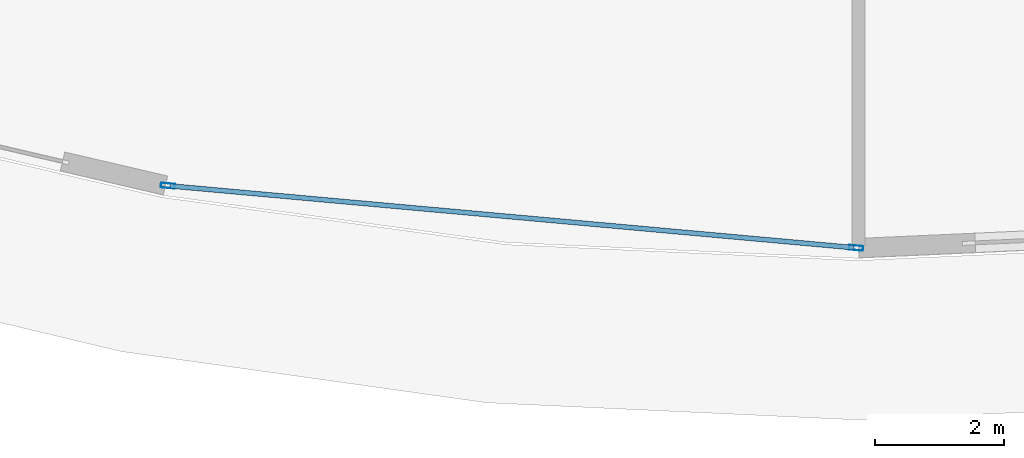
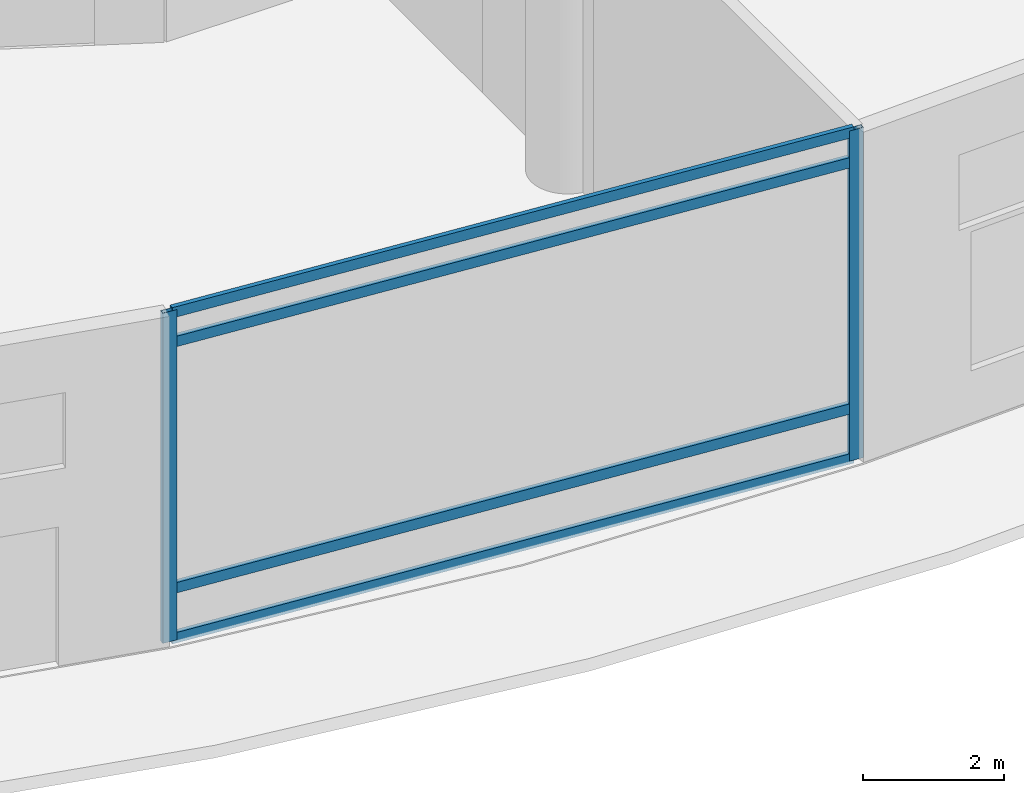
# One storey, part 12 of 40: 6 members, 1 element without a shape of its own.
"""IFC4 building model written with IfcOpenShell, lengths in metres."""

from ifc_helpers import new_model, si_unit, direction, frame, origin, origin_2d, place, context, subcontext, project, spatial, hollow_rectangle, extrude, material, layer, layer_set, material_profile, profile_set, type_object, element, aggregate, save


model = new_model("IFC4")

# Units and contexts
model_context = context("Model", 3, precision=1e-05, world=origin(), true_north=direction((0.0, 1.0)))
body_context = subcontext(model_context, "Body", "Model", "MODEL_VIEW")
ifc_project = project(units=[si_unit("LENGTHUNIT", "METRE"), si_unit("AREAUNIT", "SQUARE_METRE"), si_unit("VOLUMEUNIT", "CUBIC_METRE"), si_unit("PLANEANGLEUNIT", "RADIAN"), si_unit("MASSUNIT", "GRAM", prefix="KILO")], contexts=[model_context])

# Site, building, storey
site_placement = place(None, origin())
site = spatial("IfcSite", under=ifc_project, at=site_placement, CompositionType="ELEMENT")
building_placement = place(site_placement, origin())
building = spatial("IfcBuilding", under=site, at=building_placement, Name="Nuhasar Tower", CompositionType="ELEMENT")
storey_placement = place(building_placement, origin())
storey = spatial("IfcBuildingStorey", under=building, at=storey_placement, Name="L00", CompositionType="ELEMENT", Elevation=0.0)

# Curtain wall, members
ifc_material = material(Name="Aluminium 6063-T6", Category="aluminium")
ifc_layer = layer(ifc_material, 0.219970703125)
ifc_layer_set = layer_set([ifc_layer], Name="Aluminium 6063-T6")
curtain_wall_type = type_object("IfcCurtainWallType", Name="CW-PODIUM", PredefinedType="NOTDEFINED", material=ifc_layer_set)
curtain_wall_placement = place(storey_placement, origin())
curtain_wall = element("IfcCurtainWall", 1, at=curtain_wall_placement, inside=storey, type_object=curtain_wall_type, Name="L00 Podium Curtain Wall Bay 18", PredefinedType="NOTDEFINED")
ifc_material_profile_1 = material_profile(ifc_material, hollow_rectangle(XDim=0.074951171875, YDim=0.219970703125, WallThickness=0.0048828125, at=origin_2d()), Name="CWM-1")
ifc_profile_set_1 = profile_set([ifc_material_profile_1], Name="Aluminium 6063-T6")
member_type_1 = type_object("IfcMemberType", Name="CW-MUL-S1", PredefinedType="MULLION", material=ifc_profile_set_1)
member_1_placement = place(storey_placement, frame((28.312255859375, -0.67431640625, 0.0), z_axis=(0.0, 0.0, 1.0), x_axis=(0.089983128015, 0.995943289888, 0.0)))
member_1 = element("IfcMember", 2, at=member_1_placement, type_object=member_type_1, Name="CW-P1 mullion 1", PredefinedType="MULLION", context=body_context, shape_type="SweptSolid", body=[
    extrude(hollow_rectangle(XDim=0.074951171875, YDim=0.219970703125, WallThickness=0.0048828125, at=origin_2d()), origin(), (0.0, 0.0, 1.0), 5.699951171875),
])
member_2_placement = place(storey_placement, frame((38.962646484375, -1.63671875, 0.0), z_axis=(0.0, 0.0, 1.0), x_axis=(0.089983128015, 0.995943289888, 0.0)))
member_2 = element("IfcMember", 3, at=member_2_placement, type_object=member_type_1, Name="CW-P1 mullion 2", PredefinedType="MULLION", context=body_context, shape_type="SweptSolid", body=[
    extrude(hollow_rectangle(XDim=0.074951171875, YDim=0.219970703125, WallThickness=0.0048828125, at=origin_2d()), origin(), (0.0, 0.0, 1.0), 5.699951171875),
])
ifc_material_profile_2 = material_profile(ifc_material, hollow_rectangle(XDim=0.074951171875, YDim=0.179931640625, WallThickness=0.00439453125, at=origin_2d()), Name="CWT-1")
ifc_profile_set_2 = profile_set([ifc_material_profile_2], Name="Aluminium 6063-T6")
member_type_2 = type_object("IfcMemberType", Name="CW-TRN-S1", PredefinedType="USERDEFINED", material=ifc_profile_set_2)
member_3_placement = place(storey_placement, frame((28.349609375, -0.677734375, 0.03759765625), z_axis=(0.995942808046, -0.089988460933, 0.0), x_axis=(0.089988460933, 0.995942808046, 0.0)))
member_3 = element("IfcMember", 4, at=member_3_placement, type_object=member_type_2, Name="CW-P1 transom 1.1", ObjectType="TRANSOM", PredefinedType="USERDEFINED", context=body_context, shape_type="SweptSolid", body=[
    extrude(hollow_rectangle(XDim=0.074951171875, YDim=0.179931640625, WallThickness=0.00439453125, at=origin_2d()), origin(), (0.0, 0.0, 1.0), 10.61865234375),
])
member_4_placement = place(storey_placement, frame((28.349609375, -0.677734375, 0.89990234375), z_axis=(0.995942808046, -0.089988460933, 0.0), x_axis=(0.089988460933, 0.995942808046, 0.0)))
member_4 = element("IfcMember", 5, at=member_4_placement, type_object=member_type_2, Name="CW-P1 transom 1.2", ObjectType="TRANSOM", PredefinedType="USERDEFINED", context=body_context, shape_type="SweptSolid", body=[
    extrude(hollow_rectangle(XDim=0.074951171875, YDim=0.179931640625, WallThickness=0.00439453125, at=origin_2d()), origin(), (0.0, 0.0, 1.0), 10.61865234375),
])
member_5_placement = place(storey_placement, frame((28.349609375, -0.677734375, 5.14990234375), z_axis=(0.995942808046, -0.089988460933, 0.0), x_axis=(0.089988460933, 0.995942808046, 0.0)))
member_5 = element("IfcMember", 6, at=member_5_placement, type_object=member_type_2, Name="CW-P1 transom 1.3", ObjectType="TRANSOM", PredefinedType="USERDEFINED", context=body_context, shape_type="SweptSolid", body=[
    extrude(hollow_rectangle(XDim=0.074951171875, YDim=0.179931640625, WallThickness=0.00439453125, at=origin_2d()), origin(), (0.0, 0.0, 1.0), 10.61865234375),
])
member_6_placement = place(storey_placement, frame((28.349609375, -0.677734375, 5.66259765625), z_axis=(0.995942808046, -0.089988460933, 0.0), x_axis=(0.089988460933, 0.995942808046, 0.0)))
member_6 = element("IfcMember", 7, at=member_6_placement, type_object=member_type_2, Name="CW-P1 transom 1.4", ObjectType="TRANSOM", PredefinedType="USERDEFINED", context=body_context, shape_type="SweptSolid", body=[
    extrude(hollow_rectangle(XDim=0.074951171875, YDim=0.179931640625, WallThickness=0.00439453125, at=origin_2d()), origin(), (0.0, 0.0, 1.0), 10.61865234375),
])
aggregate(curtain_wall, [member_1, member_2, member_3, member_4, member_5, member_6])

save(model, "model.ifc")
